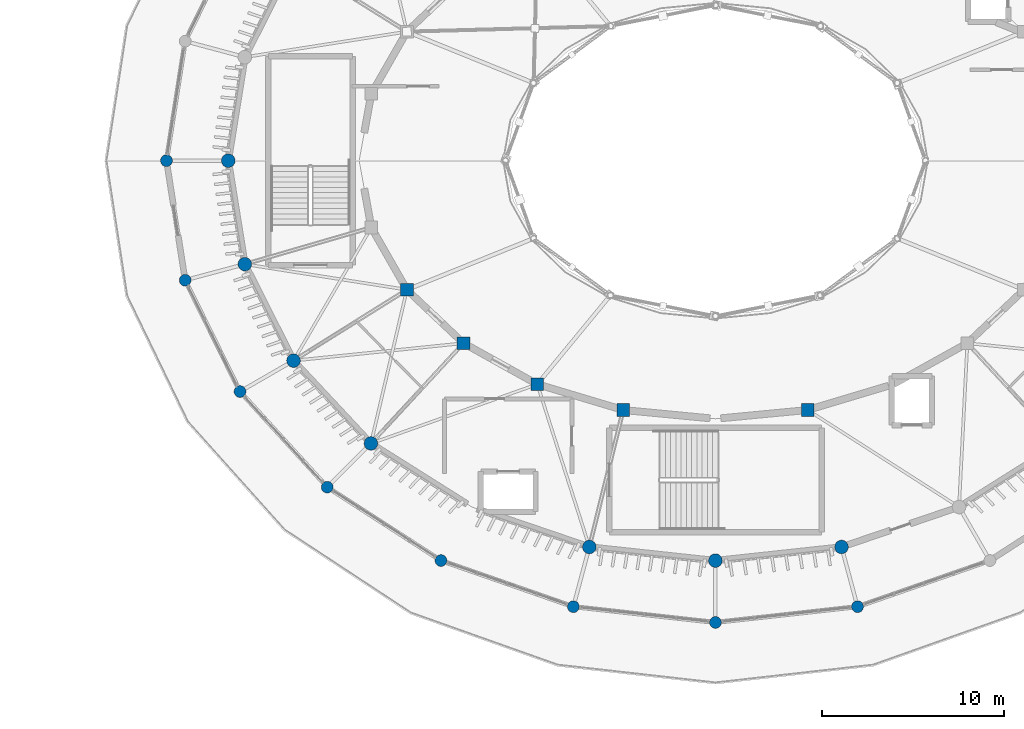
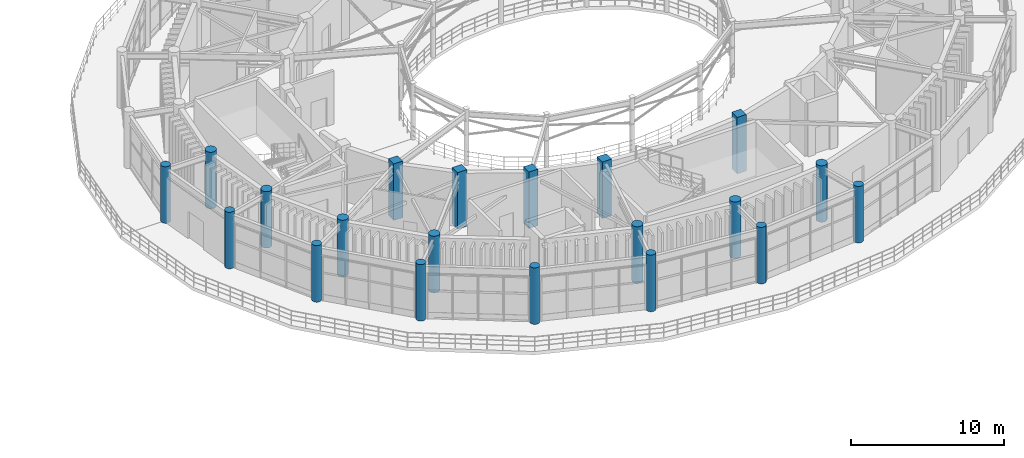
# One storey, part 1 of 45: 20 columns.
"""IFC4 building model written with IfcOpenShell, lengths in metres."""

from ifc_helpers import new_model, si_unit, direction, frame, origin, origin_2d, place, context, subcontext, project, spatial, rectangle, circle, extrude, material, material_profile, profile_set, type_object, element, save


model = new_model("IFC4")

# Units and contexts
model_context = context("Model", 3, precision=1e-05, world=origin(), true_north=direction((0.0, 1.0)))
body_context = subcontext(model_context, "Body", "Model", "MODEL_VIEW")
ifc_project = project(units=[si_unit("LENGTHUNIT", "METRE"), si_unit("AREAUNIT", "SQUARE_METRE"), si_unit("VOLUMEUNIT", "CUBIC_METRE"), si_unit("PLANEANGLEUNIT", "RADIAN"), si_unit("MASSUNIT", "GRAM", prefix="KILO")], contexts=[model_context])

# Site, building, storey
site_placement = place(None, origin())
site = spatial("IfcSite", under=ifc_project, at=site_placement, CompositionType="ELEMENT")
building_placement = place(site_placement, origin())
building = spatial("IfcBuilding", under=site, at=building_placement, Name="Cinderbank Siding Concert Hall", CompositionType="ELEMENT")
storey_placement = place(building_placement, frame((0.0, 0.0, 19.199951171875)))
storey = spatial("IfcBuildingStorey", under=building, at=storey_placement, Name="L05", CompositionType="ELEMENT", Elevation=19.199951171875)

# Columns
ifc_material = material(Name="Reinforced concrete AS 3600 N50 (50 MPa)", Category="concrete")
ifc_material_profile_1 = material_profile(ifc_material, rectangle(XDim=0.699951171875, YDim=0.699951171875, at=origin_2d()), Name="RC-COL-700x700", Category="LoadBearing")
ifc_profile_set_1 = profile_set([ifc_material_profile_1], Name="Reinforced concrete AS 3600 N50 (50 MPa)")
column_type_1 = type_object("IfcColumnType", Name="C-RC700 RC-COL-700x700", PredefinedType="COLUMN", material=ifc_profile_set_1)
for number, where, z_axis, x_axis, name in (
    (1, (105.02587890625, 36.89990234375, 0.0), (0.0, 0.0, 1.0), (1.0, 0.0, 0.0), "L05 Column COL-E1-15"),
    (2, (108.14111328125, 33.958984375, 0.0), (0.0, 0.0, 1.0), (1.0, 0.0, 0.0), "L05 Column COL-E1-16"),
    (3, (112.199951171875, 31.701904296875, 0.0), (0.0, 0.0, 1.0), (1.0, 0.0, 0.0), "L05 Column COL-E1-17"),
    (4, (116.927001953125, 30.283935546875, 0.0), (0.0, 0.0, 1.0), (1.0, 0.0, 0.0), "L05 Column COL-E1-18"),
    (5, (127.072998046875, 30.283935546875, 0.0), (0.0, 0.0, 1.0), (1.0, 0.0, 0.0), "L05 Column COL-E1-20"),
):
    element("IfcColumn", number, at=place(storey_placement, frame(where, z_axis=z_axis, x_axis=x_axis)), inside=storey, type_object=column_type_1, Name=name, PredefinedType="COLUMN", context=body_context, shape_type="SweptSolid", body=[
        extrude(rectangle(XDim=0.699951171875, YDim=0.699951171875, at=origin_2d()), origin(), (0.0, 0.0, 1.0), 4.5),
    ])
ifc_material_profile_2 = material_profile(ifc_material, circle(Radius=0.324951171875, at=origin_2d()), Name="RC-COL-650DIA", Category="LoadBearing")
ifc_profile_set_2 = profile_set([ifc_material_profile_2], Name="Reinforced concrete AS 3600 N50 (50 MPa)")
column_type_2 = type_object("IfcColumnType", Name="C-RCD650 RC-COL-650DIA", PredefinedType="COLUMN", material=ifc_profile_set_2)
for number, where, z_axis, x_axis, name in (
    (6, (91.800048828125, 44.0, 0.0), (0.0, 0.0, 1.0), (1.0, 0.0, 0.0), "L05 Column COL-E3-13"),
    (7, (92.8291015625, 37.426025390625, 0.0), (0.0, 0.0, 1.0), (1.0, 0.0, 0.0), "L05 Column COL-E3-14"),
    (8, (95.845947265625, 31.300048828125, 0.0), (0.0, 0.0, 1.0), (1.0, 0.0, 0.0), "L05 Column COL-E3-15"),
    (9, (100.64501953125, 26.0400390625, 0.0), (0.0, 0.0, 1.0), (1.0, 0.0, 0.0), "L05 Column COL-E3-16"),
    (10, (106.89990234375, 22.0029296875, 0.0), (0.0, 0.0, 1.0), (1.0, 0.0, 0.0), "L05 Column COL-E3-17"),
    (11, (114.18408203125, 19.465087890625, 0.0), (0.0, 0.0, 1.0), (1.0, 0.0, 0.0), "L05 Column COL-E3-18"),
    (12, (122.0, 18.60009765625, 0.0), (0.0, 0.0, 1.0), (1.0, 0.0, 0.0), "L05 Column COL-E3-19"),
    (13, (129.81591796875, 19.465087890625, 0.0), (0.0, 0.0, 1.0), (1.0, 0.0, 0.0), "L05 Column COL-E3-20"),
):
    element("IfcColumn", number, at=place(storey_placement, frame(where, z_axis=z_axis, x_axis=x_axis)), inside=storey, type_object=column_type_2, Name=name, PredefinedType="COLUMN", context=body_context, shape_type="SweptSolid", body=[
        extrude(circle(Radius=0.324951171875, at=origin_2d()), origin(), (0.0, 0.0, 1.0), 4.5),
    ])
ifc_material_profile_3 = material_profile(ifc_material, circle(Radius=0.375, at=origin_2d()), Name="RC-COL-750DIA", Category="LoadBearing")
ifc_profile_set_3 = profile_set([ifc_material_profile_3], Name="Reinforced concrete AS 3600 N50 (50 MPa)")
column_type_3 = type_object("IfcColumnType", Name="C-RCD750 RC-COL-750DIA", PredefinedType="COLUMN", material=ifc_profile_set_3)
for number, where, z_axis, x_axis, name in (
    (14, (95.199951171875, 44.0, 0.0), (0.0, 0.0, 1.0), (1.0, 0.0, 0.0), "L05 Column COL-E2-13"),
    (15, (96.113037109375, 38.305908203125, 0.0), (0.0, 0.0, 1.0), (1.0, 0.0, 0.0), "L05 Column COL-E2-14"),
    (16, (98.7900390625, 33.0, 0.0), (0.0, 0.0, 1.0), (1.0, 0.0, 0.0), "L05 Column COL-E2-15"),
    (17, (103.049072265625, 28.444091796875, 0.0), (0.0, 0.0, 1.0), (1.0, 0.0, 0.0), "L05 Column COL-E2-16"),
    (18, (115.06396484375, 22.75, 0.0), (0.0, 0.0, 1.0), (1.0, 0.0, 0.0), "L05 Column COL-E2-18"),
    (19, (122.0, 22.0, 0.0), (0.0, 0.0, 1.0), (1.0, 0.0, 0.0), "L05 Column COL-E2-19"),
    (20, (128.93603515625, 22.75, 0.0), (0.0, 0.0, 1.0), (1.0, 0.0, 0.0), "L05 Column COL-E2-20"),
):
    element("IfcColumn", number, at=place(storey_placement, frame(where, z_axis=z_axis, x_axis=x_axis)), inside=storey, type_object=column_type_3, Name=name, PredefinedType="COLUMN", context=body_context, shape_type="SweptSolid", body=[
        extrude(circle(Radius=0.375, at=origin_2d()), origin(), (0.0, 0.0, 1.0), 4.5),
    ])

save(model, "model.ifc")
